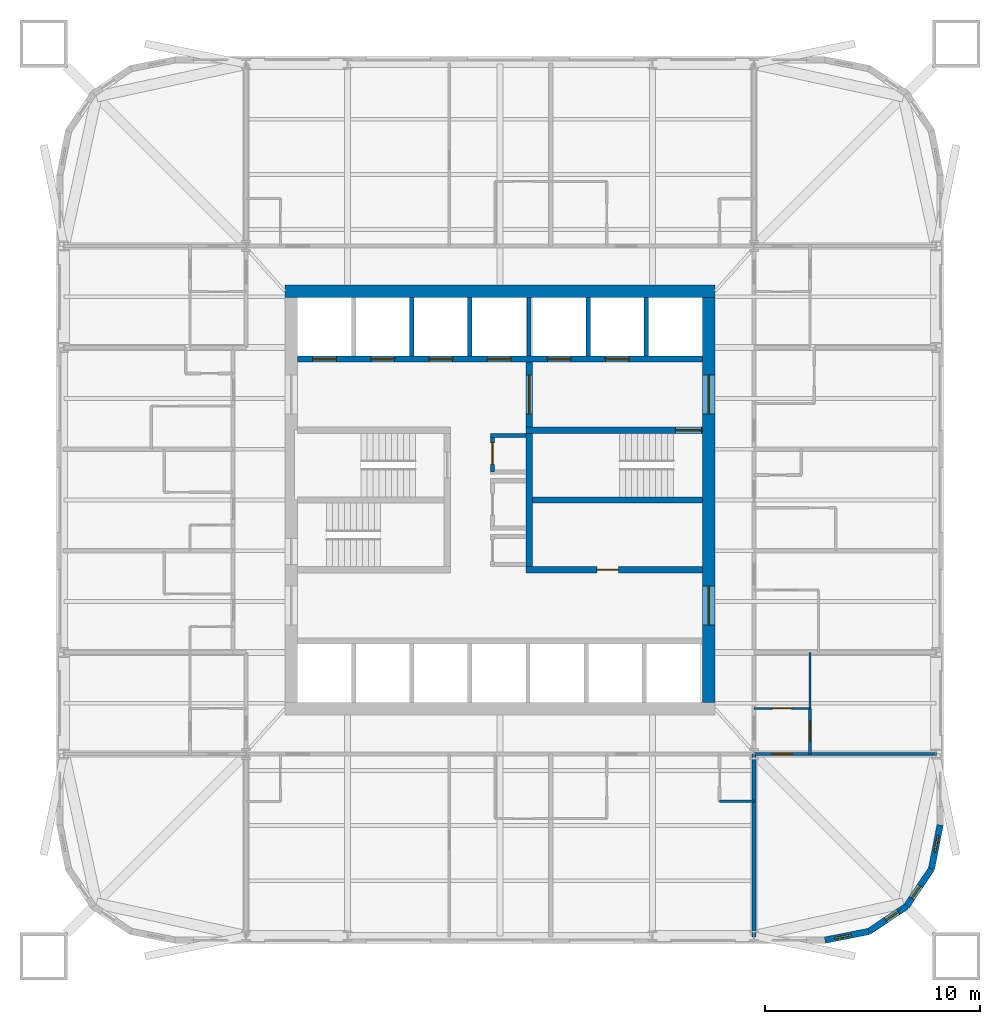
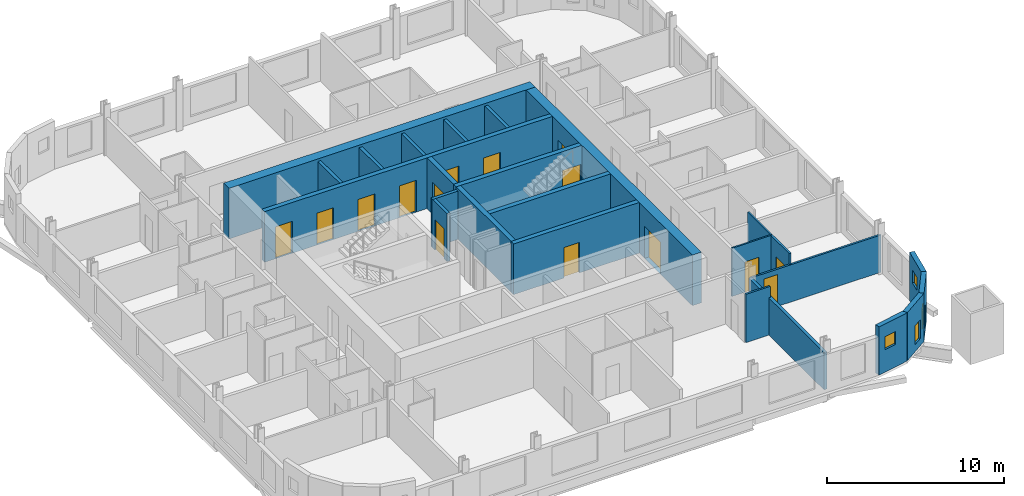
# One storey, part 5 of 9: 24 walls, 15 doors, 4 windows, 19 openings.
"""IFC4 building model written with IfcOpenShell, lengths in metres."""

from ifc_helpers import new_model, si_unit, direction, frame, frame_2d, origin, place, context, subcontext, project, spatial, rectangle, extrude, material, layer, layer_set, type_object, element, fill, save


model = new_model("IFC4")

# Units and contexts
model_context = context("Model", 3, precision=1e-05, world=origin(), true_north=direction((0.0, 1.0)))
body_context = subcontext(model_context, "Body", "Model", "MODEL_VIEW")
ifc_project = project(units=[si_unit("LENGTHUNIT", "METRE"), si_unit("AREAUNIT", "SQUARE_METRE"), si_unit("VOLUMEUNIT", "CUBIC_METRE"), si_unit("PLANEANGLEUNIT", "RADIAN"), si_unit("MASSUNIT", "GRAM", prefix="KILO")], contexts=[model_context])

# Site, building, storey
site_placement = place(None, origin())
site = spatial("IfcSite", under=ifc_project, at=site_placement, CompositionType="ELEMENT")
building_placement = place(site_placement, origin())
building = spatial("IfcBuilding", under=site, at=building_placement, Name="Turquesa Mirador Hotel Tower", CompositionType="ELEMENT")
storey_placement = place(building_placement, frame((0.0, 0.0, 149.39990234375)))
storey = spatial("IfcBuildingStorey", under=building, at=storey_placement, Name="L40", CompositionType="ELEMENT", Elevation=149.39990234375)

# Wall, opening, door
ifc_material_1 = material(Name="Gypsum board on steel studs", Category="steel")
ifc_layer_1 = layer(ifc_material_1, 0.10009765625)
ifc_layer_set_1 = layer_set([ifc_layer_1], Name="BATHROOM WALL 100")
wall_type_1 = type_object("IfcWallType", Name="BATHROOM WALL 100", PredefinedType="PARTITIONING", material=ifc_layer_set_1)
wall_1_placement = place(storey_placement, frame((66.800048828125, 35.320068359375, 0.0), z_axis=(0.0, 0.0, 1.0), x_axis=(1.0, 0.0, 0.0)))
wall_1 = element("IfcWall", 1, at=wall_1_placement, inside=storey, type_object=wall_type_1, Name="Partition L40 018", PredefinedType="PARTITIONING", context=body_context, shape_type="SweptSolid", body=[
    extrude(rectangle(XDim=2.599853515625, YDim=0.10009765625, at=frame_2d((1.2998046875, 0.0))), origin(), (0.0, 0.0, 1.0), 3.330078125),
])
opening_1_placement = place(wall_1_placement, frame((0.85009765625, 0.0, 0.0)))
opening_1 = element("IfcOpeningElement", 2, at=opening_1_placement, cuts=wall_1, Name="Opening D02", PredefinedType="OPENING", context=body_context, shape_type="SweptSolid", body=[
    extrude(rectangle(XDim=0.89990234375, YDim=2.10009765625, at=frame_2d((0.449951171875, 1.050048828125))), frame((0.0, 0.06005859375, 0.0), z_axis=(0.0, -1.0, 0.0), x_axis=(1.0, 0.0, 0.0)), (0.0, 0.0, 1.0), 0.1201171875),
])
ifc_material_2 = material(Name="Timber veneered door", Category="wood")
door_type_1 = type_object("IfcDoorType", Name="DOOR 900X2100 EN-SUITE", OperationType="SINGLE_SWING_RIGHT", PredefinedType="DOOR", material=ifc_material_2)
door_1_placement = place(opening_1_placement, origin())
door_1 = element("IfcDoor", 3, at=door_1_placement, inside=storey, type_object=door_type_1, Name="Door 4014B", OperationType="SINGLE_SWING_RIGHT", OverallHeight=2.10009765625, OverallWidth=0.89990234375, PredefinedType="DOOR", context=body_context, shape_type="SweptSolid", body=[
    extrude(rectangle(XDim=0.89990234375, YDim=2.10009765625, at=frame_2d((0.449951171875, 1.050048828125))), frame((0.0, 0.02490234375, 0.0), z_axis=(0.0, -1.0, 0.0), x_axis=(1.0, 0.0, 0.0)), (0.0, 0.0, 1.0), 0.050048828125),
])
fill(opening_1, door_1)

# Wall
wall_2_placement = place(storey_placement, frame((69.39990234375, 35.320068359375, 0.0), z_axis=(0.0, 0.0, 1.0), x_axis=(0.0, 1.0, 0.0)))
element("IfcWall", 4, at=wall_2_placement, inside=storey, type_object=wall_type_1, Name="Partition L40 065", PredefinedType="PARTITIONING", context=body_context, shape_type="SweptSolid", body=[
    extrude(rectangle(XDim=2.599853515625, YDim=0.10009765625, at=frame_2d((1.2998046875, 0.0))), origin(), (0.0, 0.0, 1.0), 3.330078125),
])

# Wall, openings, doors
ifc_material_3 = material(Name="Concrete C50/60", Category="concrete")
ifc_layer_2 = layer(ifc_material_3, 0.300048828125)
ifc_layer_set_2 = layer_set([ifc_layer_2], Name="CORE INNER WALL 300")
wall_type_2 = type_object("IfcWallType", Name="CORE INNER WALL 300", PredefinedType="SHEAR", material=ifc_layer_set_2)
wall_3_placement = place(storey_placement, frame((45.60009765625, 51.550048828125, 0.0), z_axis=(0.0, 0.0, 1.0), x_axis=(1.0, 0.0, 0.0)))
wall_3 = element("IfcWall", 5, at=wall_3_placement, inside=storey, type_object=wall_type_2, Name="Core wall NL", PredefinedType="SHEAR", context=body_context, shape_type="SweptSolid", body=[
    extrude(rectangle(XDim=18.7998046875, YDim=0.300048828125, at=frame_2d((9.39990234375, 0.0))), origin(), (0.0, 0.0, 1.0), 3.5),
])
opening_2_placement = place(wall_3_placement, frame((0.699951171875, 0.0, 0.0)))
opening_2 = element("IfcOpeningElement", 6, at=opening_2_placement, cuts=wall_3, Name="Opening LD", PredefinedType="OPENING", context=body_context, shape_type="SweptSolid", body=[
    extrude(rectangle(XDim=1.10009765625, YDim=2.199951171875, at=frame_2d((0.550048828125, 1.10009765625))), frame((0.0, 0.159912109375, 0.0), z_axis=(0.0, -1.0, 0.0), x_axis=(1.0, 0.0, 0.0)), (0.0, 0.0, 1.0), 0.320068359375),
])
opening_3_placement = place(wall_3_placement, frame((3.39990234375, 0.0, 0.0)))
opening_3 = element("IfcOpeningElement", 7, at=opening_3_placement, cuts=wall_3, Name="Opening LD", PredefinedType="OPENING", context=body_context, shape_type="SweptSolid", body=[
    extrude(rectangle(XDim=1.10009765625, YDim=2.199951171875, at=frame_2d((0.550048828125, 1.10009765625))), frame((0.0, 0.159912109375, 0.0), z_axis=(0.0, -1.0, 0.0), x_axis=(1.0, 0.0, 0.0)), (0.0, 0.0, 1.0), 0.320068359375),
])
opening_4_placement = place(wall_3_placement, frame((6.10009765625, 0.0, 0.0)))
opening_4 = element("IfcOpeningElement", 8, at=opening_4_placement, cuts=wall_3, Name="Opening LD", PredefinedType="OPENING", context=body_context, shape_type="SweptSolid", body=[
    extrude(rectangle(XDim=1.10009765625, YDim=2.199951171875, at=frame_2d((0.550048828125, 1.10009765625))), frame((0.0, 0.159912109375, 0.0), z_axis=(0.0, -1.0, 0.0), x_axis=(1.0, 0.0, 0.0)), (0.0, 0.0, 1.0), 0.320068359375),
])
opening_5_placement = place(wall_3_placement, frame((8.800048828125, 0.0, 0.0)))
opening_5 = element("IfcOpeningElement", 9, at=opening_5_placement, cuts=wall_3, Name="Opening LD", PredefinedType="OPENING", context=body_context, shape_type="SweptSolid", body=[
    extrude(rectangle(XDim=1.10009765625, YDim=2.199951171875, at=frame_2d((0.550048828125, 1.10009765625))), frame((0.0, 0.159912109375, 0.0), z_axis=(0.0, -1.0, 0.0), x_axis=(1.0, 0.0, 0.0)), (0.0, 0.0, 1.0), 0.320068359375),
])
opening_6_placement = place(wall_3_placement, frame((11.60009765625, 0.0, 0.0)))
opening_6 = element("IfcOpeningElement", 10, at=opening_6_placement, cuts=wall_3, Name="Opening LD", PredefinedType="OPENING", context=body_context, shape_type="SweptSolid", body=[
    extrude(rectangle(XDim=1.10009765625, YDim=2.199951171875, at=frame_2d((0.550048828125, 1.10009765625))), frame((0.0, 0.159912109375, 0.0), z_axis=(0.0, -1.0, 0.0), x_axis=(1.0, 0.0, 0.0)), (0.0, 0.0, 1.0), 0.320068359375),
])
opening_7_placement = place(wall_3_placement, frame((14.300048828125, 0.0, 0.0)))
opening_7 = element("IfcOpeningElement", 11, at=opening_7_placement, cuts=wall_3, Name="Opening LD", PredefinedType="OPENING", context=body_context, shape_type="SweptSolid", body=[
    extrude(rectangle(XDim=1.10009765625, YDim=2.199951171875, at=frame_2d((0.550048828125, 1.10009765625))), frame((0.0, 0.159912109375, 0.0), z_axis=(0.0, -1.0, 0.0), x_axis=(1.0, 0.0, 0.0)), (0.0, 0.0, 1.0), 0.320068359375),
])
ifc_material_4 = material(Name="Stainless steel lift landing door", Category="steel")
door_type_2 = type_object("IfcDoorType", Name="LIFT LANDING DOOR 1100X2200", OperationType="SLIDING_TO_LEFT", PredefinedType="DOOR", material=ifc_material_4)
door_2_placement = place(opening_2_placement, origin())
door_2 = element("IfcDoor", 12, at=door_2_placement, inside=storey, type_object=door_type_2, Name="Lift A1 landing door", OperationType="SLIDING_TO_LEFT", OverallHeight=2.199951171875, OverallWidth=1.10009765625, PredefinedType="DOOR", context=body_context, shape_type="SweptSolid", body=[
    extrude(rectangle(XDim=1.10009765625, YDim=2.199951171875, at=frame_2d((0.550048828125, 1.10009765625))), frame((0.0, 0.02490234375, 0.0), z_axis=(0.0, -1.0, 0.0), x_axis=(1.0, 0.0, 0.0)), (0.0, 0.0, 1.0), 0.050048828125),
])
fill(opening_2, door_2)
door_3_placement = place(opening_3_placement, origin())
door_3 = element("IfcDoor", 13, at=door_3_placement, inside=storey, type_object=door_type_2, Name="Lift A2 landing door", OperationType="SLIDING_TO_LEFT", OverallHeight=2.199951171875, OverallWidth=1.10009765625, PredefinedType="DOOR", context=body_context, shape_type="SweptSolid", body=[
    extrude(rectangle(XDim=1.10009765625, YDim=2.199951171875, at=frame_2d((0.550048828125, 1.10009765625))), frame((0.0, 0.02490234375, 0.0), z_axis=(0.0, -1.0, 0.0), x_axis=(1.0, 0.0, 0.0)), (0.0, 0.0, 1.0), 0.050048828125),
])
fill(opening_3, door_3)
door_4_placement = place(opening_4_placement, origin())
door_4 = element("IfcDoor", 14, at=door_4_placement, inside=storey, type_object=door_type_2, Name="Lift A3 landing door", OperationType="SLIDING_TO_LEFT", OverallHeight=2.199951171875, OverallWidth=1.10009765625, PredefinedType="DOOR", context=body_context, shape_type="SweptSolid", body=[
    extrude(rectangle(XDim=1.10009765625, YDim=2.199951171875, at=frame_2d((0.550048828125, 1.10009765625))), frame((0.0, 0.02490234375, 0.0), z_axis=(0.0, -1.0, 0.0), x_axis=(1.0, 0.0, 0.0)), (0.0, 0.0, 1.0), 0.050048828125),
])
fill(opening_4, door_4)
door_5_placement = place(opening_5_placement, origin())
door_5 = element("IfcDoor", 15, at=door_5_placement, inside=storey, type_object=door_type_2, Name="Lift A4 landing door", OperationType="SLIDING_TO_LEFT", OverallHeight=2.199951171875, OverallWidth=1.10009765625, PredefinedType="DOOR", context=body_context, shape_type="SweptSolid", body=[
    extrude(rectangle(XDim=1.10009765625, YDim=2.199951171875, at=frame_2d((0.550048828125, 1.10009765625))), frame((0.0, 0.02490234375, 0.0), z_axis=(0.0, -1.0, 0.0), x_axis=(1.0, 0.0, 0.0)), (0.0, 0.0, 1.0), 0.050048828125),
])
fill(opening_5, door_5)
door_6_placement = place(opening_6_placement, origin())
door_6 = element("IfcDoor", 16, at=door_6_placement, inside=storey, type_object=door_type_2, Name="Lift S1 landing door", OperationType="SLIDING_TO_LEFT", OverallHeight=2.199951171875, OverallWidth=1.10009765625, PredefinedType="DOOR", context=body_context, shape_type="SweptSolid", body=[
    extrude(rectangle(XDim=1.10009765625, YDim=2.199951171875, at=frame_2d((0.550048828125, 1.10009765625))), frame((0.0, 0.02490234375, 0.0), z_axis=(0.0, -1.0, 0.0), x_axis=(1.0, 0.0, 0.0)), (0.0, 0.0, 1.0), 0.050048828125),
])
fill(opening_6, door_6)
door_7_placement = place(opening_7_placement, origin())
door_7 = element("IfcDoor", 17, at=door_7_placement, inside=storey, type_object=door_type_2, Name="Lift S2 landing door", OperationType="SLIDING_TO_LEFT", OverallHeight=2.199951171875, OverallWidth=1.10009765625, PredefinedType="DOOR", context=body_context, shape_type="SweptSolid", body=[
    extrude(rectangle(XDim=1.10009765625, YDim=2.199951171875, at=frame_2d((0.550048828125, 1.10009765625))), frame((0.0, 0.02490234375, 0.0), z_axis=(0.0, -1.0, 0.0), x_axis=(1.0, 0.0, 0.0)), (0.0, 0.0, 1.0), 0.050048828125),
])
fill(opening_7, door_7)

# Wall, opening, door
wall_4_placement = place(storey_placement, frame((56.199951171875, 48.25, 0.0), z_axis=(0.0, 0.0, 1.0), x_axis=(1.0, 0.0, 0.0)))
wall_4 = element("IfcWall", 18, at=wall_4_placement, inside=storey, type_object=wall_type_2, Name="Core wall MN-E", PredefinedType="SHEAR", context=body_context, shape_type="SweptSolid", body=[
    extrude(rectangle(XDim=8.199951171875, YDim=0.300048828125, at=frame_2d((4.10009765625, 0.0))), origin(), (0.0, 0.0, 1.0), 3.5),
])
opening_8_placement = place(wall_4_placement, frame((6.949951171875, 0.0, 0.0)))
opening_8 = element("IfcOpeningElement", 19, at=opening_8_placement, cuts=wall_4, Name="Opening D03", PredefinedType="OPENING", context=body_context, shape_type="SweptSolid", body=[
    extrude(rectangle(XDim=1.199951171875, YDim=2.199951171875, at=frame_2d((0.60009765625, 1.10009765625))), frame((0.0, 0.159912109375, 0.0), z_axis=(0.0, -1.0, 0.0), x_axis=(1.0, 0.0, 0.0)), (0.0, 0.0, 1.0), 0.320068359375),
])
ifc_material_5 = material(Name="Steel fire door", Category="steel")
door_type_3 = type_object("IfcDoorType", Name="DOOR 1200X2200 STAIR", OperationType="SINGLE_SWING_LEFT", PredefinedType="DOOR", material=ifc_material_5)
door_8_placement = place(opening_8_placement, origin())
door_8 = element("IfcDoor", 20, at=door_8_placement, inside=storey, type_object=door_type_3, Name="Stair ST3 door", OperationType="SINGLE_SWING_LEFT", OverallHeight=2.199951171875, OverallWidth=1.199951171875, PredefinedType="DOOR", context=body_context, shape_type="SweptSolid", body=[
    extrude(rectangle(XDim=1.199951171875, YDim=2.199951171875, at=frame_2d((0.60009765625, 1.10009765625))), frame((0.0, 0.02490234375, 0.0), z_axis=(0.0, -1.0, 0.0), x_axis=(1.0, 0.0, 0.0)), (0.0, 0.0, 1.0), 0.050048828125),
])
fill(opening_8, door_8)

wall_5_placement = place(storey_placement, frame((56.199951171875, 41.75, 0.0), z_axis=(0.0, 0.0, 1.0), x_axis=(1.0, 0.0, 0.0)))
wall_5 = element("IfcWall", 21, at=wall_5_placement, inside=storey, type_object=wall_type_2, Name="Core wall MS-E", PredefinedType="SHEAR", context=body_context, shape_type="SweptSolid", body=[
    extrude(rectangle(XDim=8.199951171875, YDim=0.300048828125, at=frame_2d((4.10009765625, 0.0))), origin(), (0.0, 0.0, 1.0), 3.5),
])
opening_9_placement = place(wall_5_placement, frame((3.300048828125, 0.0, 0.0)))
opening_9 = element("IfcOpeningElement", 22, at=opening_9_placement, cuts=wall_5, Name="Opening D05", PredefinedType="OPENING", context=body_context, shape_type="SweptSolid", body=[
    extrude(rectangle(XDim=1.0, YDim=2.10009765625, at=frame_2d((0.5, 1.050048828125))), frame((0.0, 0.159912109375, 0.0), z_axis=(0.0, -1.0, 0.0), x_axis=(1.0, 0.0, 0.0)), (0.0, 0.0, 1.0), 0.320068359375),
])
ifc_material_6 = material(Name="Steel fire door", Category="steel")
door_type_4 = type_object("IfcDoorType", Name="DOOR 1000X2100 SERVICE", OperationType="SINGLE_SWING_LEFT", PredefinedType="DOOR", material=ifc_material_6)
door_9_placement = place(opening_9_placement, origin())
door_9 = element("IfcDoor", 23, at=door_9_placement, inside=storey, type_object=door_type_4, Name="Housekeeping room door", OperationType="SINGLE_SWING_LEFT", OverallHeight=2.10009765625, OverallWidth=1.0, PredefinedType="DOOR", context=body_context, shape_type="SweptSolid", body=[
    extrude(rectangle(XDim=1.0, YDim=2.10009765625, at=frame_2d((0.5, 1.050048828125))), frame((0.0, 0.02490234375, 0.0), z_axis=(0.0, -1.0, 0.0), x_axis=(1.0, 0.0, 0.0)), (0.0, 0.0, 1.0), 0.050048828125),
])
fill(opening_9, door_9)

wall_6_placement = place(storey_placement, frame((56.35009765625, 41.89990234375, 0.0), z_axis=(0.0, 0.0, 1.0), x_axis=(0.0, 1.0, 0.0)))
wall_6 = element("IfcWall", 24, at=wall_6_placement, inside=storey, type_object=wall_type_2, Name="Core wall PE", PredefinedType="SHEAR", context=body_context, shape_type="SweptSolid", body=[
    extrude(rectangle(XDim=9.5, YDim=0.300048828125, at=frame_2d((4.75, 0.0))), origin(), (0.0, 0.0, 1.0), 3.5),
])
opening_10_placement = place(wall_6_placement, frame((7.10009765625, 0.0, 0.0)))
opening_10 = element("IfcOpeningElement", 25, at=opening_10_placement, cuts=wall_6, Name="Opening D04", PredefinedType="OPENING", context=body_context, shape_type="SweptSolid", body=[
    extrude(rectangle(XDim=1.800048828125, YDim=2.199951171875, at=frame_2d((0.89990234375, 1.10009765625))), frame((0.0, 0.159912109375, 0.0), z_axis=(0.0, -1.0, 0.0), x_axis=(1.0, 0.0, 0.0)), (0.0, 0.0, 1.0), 0.320068359375),
])
ifc_material_7 = material(Name="Steel fire door pair", Category="steel")
door_type_5 = type_object("IfcDoorType", Name="DOOR 1800X2200 PAIR", OperationType="DOUBLE_DOOR_SINGLE_SWING", PredefinedType="DOOR", material=ifc_material_7)
door_10_placement = place(opening_10_placement, origin())
door_10 = element("IfcDoor", 26, at=door_10_placement, inside=storey, type_object=door_type_5, Name="Firefighting lobby inner door", OperationType="DOUBLE_DOOR_SINGLE_SWING", OverallHeight=2.199951171875, OverallWidth=1.800048828125, PredefinedType="DOOR", context=body_context, shape_type="SweptSolid", body=[
    extrude(rectangle(XDim=1.800048828125, YDim=2.199951171875, at=frame_2d((0.89990234375, 1.10009765625))), frame((0.0, 0.02490234375, 0.0), z_axis=(0.0, -1.0, 0.0), x_axis=(1.0, 0.0, 0.0)), (0.0, 0.0, 1.0), 0.050048828125),
])
fill(opening_10, door_10)

# Walls
wall_7_placement = place(storey_placement, frame((56.5, 45.0, 0.0), z_axis=(0.0, 0.0, 1.0), x_axis=(1.0, 0.0, 0.0)))
element("IfcWall", 27, at=wall_7_placement, inside=storey, type_object=wall_type_2, Name="Core wall M0-E", PredefinedType="SHEAR", context=body_context, shape_type="SweptSolid", body=[
    extrude(rectangle(XDim=7.89990234375, YDim=0.300048828125, at=frame_2d((3.949951171875, 0.0))), origin(), (0.0, 0.0, 1.0), 3.5),
])
ifc_material_8 = material(Name="Concrete C50/60", Category="concrete")
ifc_layer_3 = layer(ifc_material_8, 0.60009765625)
ifc_layer_set_3 = layer_set([ifc_layer_3], Name="CORE WALL 600")
wall_type_3 = type_object("IfcWallType", Name="CORE WALL 600", PredefinedType="SHEAR", material=ifc_layer_set_3)
wall_8_placement = place(storey_placement, frame((45.0, 54.699951171875, 0.0), z_axis=(0.0, 0.0, 1.0), x_axis=(1.0, 0.0, 0.0)))
element("IfcWall", 28, at=wall_8_placement, inside=storey, type_object=wall_type_3, Name="Core wall N", PredefinedType="SHEAR", context=body_context, shape_type="SweptSolid", body=[
    extrude(rectangle(XDim=20.0, YDim=0.60009765625, at=frame_2d((10.0, 0.0))), origin(), (0.0, 0.0, 1.0), 3.5),
])

# Wall, openings, doors
wall_9_placement = place(storey_placement, frame((64.699951171875, 35.60009765625, 0.0), z_axis=(0.0, 0.0, 1.0), x_axis=(0.0, 1.0, 0.0)))
wall_9 = element("IfcWall", 29, at=wall_9_placement, inside=storey, type_object=wall_type_3, Name="Core wall E", PredefinedType="SHEAR", context=body_context, shape_type="SweptSolid", body=[
    extrude(rectangle(XDim=18.7998046875, YDim=0.60009765625, at=frame_2d((9.39990234375, 0.0))), origin(), (0.0, 0.0, 1.0), 3.5),
])
opening_11_placement = place(wall_9_placement, frame((13.39990234375, 0.0, 0.0)))
opening_11 = element("IfcOpeningElement", 30, at=opening_11_placement, cuts=wall_9, Name="Opening D04", PredefinedType="OPENING", context=body_context, shape_type="SweptSolid", body=[
    extrude(rectangle(XDim=1.800048828125, YDim=2.199951171875, at=frame_2d((0.89990234375, 1.10009765625))), frame((0.0, 0.31005859375, 0.0), z_axis=(0.0, -1.0, 0.0), x_axis=(1.0, 0.0, 0.0)), (0.0, 0.0, 1.0), 0.6201171875),
])
opening_12_placement = place(wall_9_placement, frame((3.60009765625, 0.0, 0.0)))
opening_12 = element("IfcOpeningElement", 31, at=opening_12_placement, cuts=wall_9, Name="Opening D04", PredefinedType="OPENING", context=body_context, shape_type="SweptSolid", body=[
    extrude(rectangle(XDim=1.800048828125, YDim=2.199951171875, at=frame_2d((0.89990234375, 1.10009765625))), frame((0.0, 0.31005859375, 0.0), z_axis=(0.0, -1.0, 0.0), x_axis=(1.0, 0.0, 0.0)), (0.0, 0.0, 1.0), 0.6201171875),
])
door_11_placement = place(opening_11_placement, origin())
door_11 = element("IfcDoor", 32, at=door_11_placement, inside=storey, type_object=door_type_5, Name="Firefighting lobby door", OperationType="DOUBLE_DOOR_SINGLE_SWING", OverallHeight=2.199951171875, OverallWidth=1.800048828125, PredefinedType="DOOR", context=body_context, shape_type="SweptSolid", body=[
    extrude(rectangle(XDim=1.800048828125, YDim=2.199951171875, at=frame_2d((0.89990234375, 1.10009765625))), frame((0.0, 0.02490234375, 0.0), z_axis=(0.0, -1.0, 0.0), x_axis=(1.0, 0.0, 0.0)), (0.0, 0.0, 1.0), 0.050048828125),
])
fill(opening_11, door_11)
door_12_placement = place(opening_12_placement, origin())
door_12 = element("IfcDoor", 33, at=door_12_placement, inside=storey, type_object=door_type_5, Name="South lift lobby door", OperationType="DOUBLE_DOOR_SINGLE_SWING", OverallHeight=2.199951171875, OverallWidth=1.800048828125, PredefinedType="DOOR", context=body_context, shape_type="SweptSolid", body=[
    extrude(rectangle(XDim=1.800048828125, YDim=2.199951171875, at=frame_2d((0.89990234375, 1.10009765625))), frame((0.0, 0.02490234375, 0.0), z_axis=(0.0, -1.0, 0.0), x_axis=(1.0, 0.0, 0.0)), (0.0, 0.0, 1.0), 0.050048828125),
])
fill(opening_12, door_12)

# Wall, opening, window
ifc_material_9 = material(Name="Limestone cladding on concrete block", Category="masonry")
ifc_layer_4 = layer(ifc_material_9, 0.300048828125)
ifc_layer_set_4 = layer_set([ifc_layer_4], Name="FACADE WALL 300 STONE SCREEN")
wall_type_4 = type_object("IfcWallType", Name="FACADE WALL 300 STONE SCREEN", PredefinedType="SOLIDWALL", material=ifc_layer_set_4)
wall_10_placement = place(storey_placement, frame((70.10009765625, 24.550048828125, 0.0), z_axis=(0.0, 0.0, 1.0), x_axis=(0.980787050784, 0.195081421501, 0.0)))
wall_10 = element("IfcWall", 34, at=wall_10_placement, inside=storey, type_object=wall_type_4, Name="Facade wall L40 00", PredefinedType="SOLIDWALL", context=body_context, shape_type="SweptSolid", body=[
    extrude(rectangle(XDim=2.08740234375, YDim=0.300048828125, at=frame_2d((1.043701171875, 0.0))), origin(), (0.0, 0.0, 1.0), 3.330078125),
])
opening_13_placement = place(wall_10_placement, frame((0.443603515625, 0.0, 1.550048828125)))
opening_13 = element("IfcOpeningElement", 35, at=opening_13_placement, cuts=wall_10, Name="Opening WN18", PredefinedType="OPENING", context=body_context, shape_type="SweptSolid", body=[
    extrude(rectangle(XDim=0.800048828125, YDim=0.89990234375, at=frame_2d((0.39990234375, 0.449951171875))), frame((0.0, 0.159912109375, 0.0), z_axis=(0.0, -1.0, 0.0), x_axis=(1.0, 0.0, 0.0)), (0.0, 0.0, 1.0), 0.320068359375),
])
ifc_material_10 = material(Name="Ceramic-fritted laminated glass", Category="glass")
window_type_1 = type_object("IfcWindowType", Name="FRITTED CORNER WINDOW 800X900", PartitioningType="DOUBLE_PANEL_HORIZONTAL", PredefinedType="WINDOW", material=ifc_material_10)
window_1_placement = place(opening_13_placement, origin())
window_1 = element("IfcWindow", 36, at=window_1_placement, inside=storey, type_object=window_type_1, Name="Window L40", OverallHeight=0.89990234375, OverallWidth=0.800048828125, PartitioningType="SINGLE_PANEL", PredefinedType="WINDOW", context=body_context, shape_type="SweptSolid", body=[
    extrude(rectangle(XDim=0.800048828125, YDim=0.89990234375, at=frame_2d((0.39990234375, 0.449951171875))), frame((0.0, 0.030029296875, 0.0), z_axis=(0.0, -1.0, 0.0), x_axis=(1.0, 0.0, 0.0)), (0.0, 0.0, 1.0), 0.06005859375),
])
fill(opening_13, window_1)

wall_11_placement = place(storey_placement, frame((72.1474609375, 24.957275390625, 0.0), z_axis=(0.0, 0.0, 1.0), x_axis=(0.831474039234, 0.555563607591, 0.0)))
wall_11 = element("IfcWall", 37, at=wall_11_placement, inside=storey, type_object=wall_type_4, Name="Facade wall L40 01", PredefinedType="SOLIDWALL", context=body_context, shape_type="SweptSolid", body=[
    extrude(rectangle(XDim=2.08740234375, YDim=0.300048828125, at=frame_2d((1.043701171875, 0.0))), origin(), (0.0, 0.0, 1.0), 3.330078125),
])
opening_14_placement = place(wall_11_placement, frame((0.943603515625, 0.0, 0.5)))
opening_14 = element("IfcOpeningElement", 38, at=opening_14_placement, cuts=wall_11, Name="Opening WN17", PredefinedType="OPENING", context=body_context, shape_type="SweptSolid", body=[
    extrude(rectangle(XDim=0.699951171875, YDim=1.300048828125, at=frame_2d((0.35009765625, 0.64990234375))), frame((0.0, 0.159912109375, 0.0), z_axis=(0.0, -1.0, 0.0), x_axis=(1.0, 0.0, 0.0)), (0.0, 0.0, 1.0), 0.320068359375),
])
ifc_material_11 = material(Name="Ceramic-fritted laminated glass", Category="glass")
window_type_2 = type_object("IfcWindowType", Name="FRITTED CORNER WINDOW 700X1300", PartitioningType="DOUBLE_PANEL_HORIZONTAL", PredefinedType="WINDOW", material=ifc_material_11)
window_2_placement = place(opening_14_placement, origin())
window_2 = element("IfcWindow", 39, at=window_2_placement, inside=storey, type_object=window_type_2, Name="Window L40", OverallHeight=1.300048828125, OverallWidth=0.699951171875, PartitioningType="SINGLE_PANEL", PredefinedType="WINDOW", context=body_context, shape_type="SweptSolid", body=[
    extrude(rectangle(XDim=0.699951171875, YDim=1.300048828125, at=frame_2d((0.35009765625, 0.64990234375))), frame((0.0, 0.030029296875, 0.0), z_axis=(0.0, -1.0, 0.0), x_axis=(1.0, 0.0, 0.0)), (0.0, 0.0, 1.0), 0.06005859375),
])
fill(opening_14, window_2)

wall_12_placement = place(storey_placement, frame((73.883056640625, 26.116943359375, 0.0), z_axis=(0.0, 0.0, 1.0), x_axis=(0.555563607591, 0.831474039234, 0.0)))
wall_12 = element("IfcWall", 40, at=wall_12_placement, inside=storey, type_object=wall_type_4, Name="Facade wall L40 02", PredefinedType="SOLIDWALL", context=body_context, shape_type="SweptSolid", body=[
    extrude(rectangle(XDim=2.08740234375, YDim=0.300048828125, at=frame_2d((1.043701171875, 0.0))), origin(), (0.0, 0.0, 1.0), 3.330078125),
])
opening_15_placement = place(wall_12_placement, frame((0.443603515625, 0.0, 0.5)))
opening_15 = element("IfcOpeningElement", 41, at=opening_15_placement, cuts=wall_12, Name="Opening WN17", PredefinedType="OPENING", context=body_context, shape_type="SweptSolid", body=[
    extrude(rectangle(XDim=0.699951171875, YDim=1.300048828125, at=frame_2d((0.35009765625, 0.64990234375))), frame((0.0, 0.159912109375, 0.0), z_axis=(0.0, -1.0, 0.0), x_axis=(1.0, 0.0, 0.0)), (0.0, 0.0, 1.0), 0.320068359375),
])
window_3_placement = place(opening_15_placement, origin())
window_3 = element("IfcWindow", 42, at=window_3_placement, inside=storey, type_object=window_type_2, Name="Window L40", OverallHeight=1.300048828125, OverallWidth=0.699951171875, PartitioningType="SINGLE_PANEL", PredefinedType="WINDOW", context=body_context, shape_type="SweptSolid", body=[
    extrude(rectangle(XDim=0.699951171875, YDim=1.300048828125, at=frame_2d((0.35009765625, 0.64990234375))), frame((0.0, 0.030029296875, 0.0), z_axis=(0.0, -1.0, 0.0), x_axis=(1.0, 0.0, 0.0)), (0.0, 0.0, 1.0), 0.06005859375),
])
fill(opening_15, window_3)

wall_13_placement = place(storey_placement, frame((75.042724609375, 27.8525390625, 0.0), z_axis=(0.0, 0.0, 1.0), x_axis=(0.195081421501, 0.980787050784, 0.0)))
wall_13 = element("IfcWall", 43, at=wall_13_placement, inside=storey, type_object=wall_type_4, Name="Facade wall L40 03", PredefinedType="SOLIDWALL", context=body_context, shape_type="SweptSolid", body=[
    extrude(rectangle(XDim=2.08740234375, YDim=0.300048828125, at=frame_2d((1.043701171875, 0.0))), origin(), (0.0, 0.0, 1.0), 3.330078125),
])
opening_16_placement = place(wall_13_placement, frame((0.793701171875, 0.0, 1.550048828125)))
opening_16 = element("IfcOpeningElement", 44, at=opening_16_placement, cuts=wall_13, Name="Opening WN18", PredefinedType="OPENING", context=body_context, shape_type="SweptSolid", body=[
    extrude(rectangle(XDim=0.800048828125, YDim=0.89990234375, at=frame_2d((0.39990234375, 0.449951171875))), frame((0.0, 0.159912109375, 0.0), z_axis=(0.0, -1.0, 0.0), x_axis=(1.0, 0.0, 0.0)), (0.0, 0.0, 1.0), 0.320068359375),
])
window_4_placement = place(opening_16_placement, origin())
window_4 = element("IfcWindow", 45, at=window_4_placement, inside=storey, type_object=window_type_1, Name="Window L40", OverallHeight=0.89990234375, OverallWidth=0.800048828125, PartitioningType="SINGLE_PANEL", PredefinedType="WINDOW", context=body_context, shape_type="SweptSolid", body=[
    extrude(rectangle(XDim=0.800048828125, YDim=0.89990234375, at=frame_2d((0.39990234375, 0.449951171875))), frame((0.0, 0.030029296875, 0.0), z_axis=(0.0, -1.0, 0.0), x_axis=(1.0, 0.0, 0.0)), (0.0, 0.0, 1.0), 0.06005859375),
])
fill(opening_16, window_4)

# Wall, opening, door
ifc_material_12 = material(Name="Fire-rated gypsum board on steel studs", Category="steel")
ifc_layer_5 = layer(ifc_material_12, 0.199951171875)
ifc_layer_set_5 = layer_set([ifc_layer_5], Name="FIRE PARTITION 200")
wall_type_5 = type_object("IfcWallType", Name="FIRE PARTITION 200", PredefinedType="PARTITIONING", material=ifc_layer_set_5)
wall_14_placement = place(storey_placement, frame((54.64990234375, 46.300048828125, 0.0), z_axis=(0.0, 0.0, 1.0), x_axis=(0.0, 1.0, 0.0)))
wall_14 = element("IfcWall", 46, at=wall_14_placement, inside=storey, type_object=wall_type_5, Name="Partition L40 CL W", PredefinedType="PARTITIONING", context=body_context, shape_type="SweptSolid", body=[
    extrude(rectangle(XDim=1.699951171875, YDim=0.199951171875, at=frame_2d((0.85009765625, 0.0))), origin(), (0.0, 0.0, 1.0), 3.330078125),
])
opening_17_placement = place(wall_14_placement, frame((0.35009765625, 0.0, 0.0)))
opening_17 = element("IfcOpeningElement", 47, at=opening_17_placement, cuts=wall_14, Name="Opening D05", PredefinedType="OPENING", context=body_context, shape_type="SweptSolid", body=[
    extrude(rectangle(XDim=1.0, YDim=2.10009765625, at=frame_2d((0.5, 1.050048828125))), frame((0.0, 0.10986328125, 0.0), z_axis=(0.0, -1.0, 0.0), x_axis=(1.0, 0.0, 0.0)), (0.0, 0.0, 1.0), 0.219970703125),
])
door_13_placement = place(opening_17_placement, origin())
door_13 = element("IfcDoor", 48, at=door_13_placement, inside=storey, type_object=door_type_4, Name="Cleaner's cupboard door", OperationType="SINGLE_SWING_LEFT", OverallHeight=2.10009765625, OverallWidth=1.0, PredefinedType="DOOR", context=body_context, shape_type="SweptSolid", body=[
    extrude(rectangle(XDim=1.0, YDim=2.10009765625, at=frame_2d((0.5, 1.050048828125))), frame((0.0, 0.02490234375, 0.0), z_axis=(0.0, -1.0, 0.0), x_axis=(1.0, 0.0, 0.0)), (0.0, 0.0, 1.0), 0.050048828125),
])
fill(opening_17, door_13)

# Walls
wall_15_placement = place(storey_placement, frame((54.550048828125, 48.0, 0.0), z_axis=(0.0, 0.0, 1.0), x_axis=(1.0, 0.0, 0.0)))
element("IfcWall", 49, at=wall_15_placement, inside=storey, type_object=wall_type_5, Name="Partition L40 CL N", PredefinedType="PARTITIONING", context=body_context, shape_type="SweptSolid", body=[
    extrude(rectangle(XDim=1.64990234375, YDim=0.199951171875, at=frame_2d((0.824951171875, 0.0))), origin(), (0.0, 0.0, 1.0), 3.330078125),
])
ifc_material_13 = material(Name="Fire-rated gypsum shaft wall on steel studs", Category="steel")
ifc_layer_6 = layer(ifc_material_13, 0.199951171875)
ifc_layer_set_6 = layer_set([ifc_layer_6], Name="LIFT SHAFT DIVIDER 200")
wall_type_6 = type_object("IfcWallType", Name="LIFT SHAFT DIVIDER 200", PredefinedType="PARTITIONING", material=ifc_layer_set_6)
for number, where, z_axis, x_axis, name in (
    (50, (50.89990234375, 51.699951171875, 0.0), (0.0, 0.0, 1.0), (0.0, 1.0, 0.0), "Lift shaft divider"),
    (51, (53.60009765625, 51.699951171875, 0.0), (0.0, 0.0, 1.0), (0.0, 1.0, 0.0), "Lift shaft divider"),
    (52, (59.10009765625, 51.699951171875, 0.0), (0.0, 0.0, 1.0), (0.0, 1.0, 0.0), "Lift shaft divider"),
    (53, (61.800048828125, 51.699951171875, 0.0), (0.0, 0.0, 1.0), (0.0, 1.0, 0.0), "Lift shaft divider"),
    (54, (56.35009765625, 51.699951171875, 0.0), (0.0, 0.0, 1.0), (0.0, 1.0, 0.0), "Lift shaft divider"),
):
    element("IfcWall", number, at=place(storey_placement, frame(where, z_axis=z_axis, x_axis=x_axis)), inside=storey, type_object=wall_type_6, Name=name, PredefinedType="PARTITIONING", context=body_context, shape_type="SweptSolid", body=[
        extrude(rectangle(XDim=2.699951171875, YDim=0.199951171875, at=frame_2d((1.35009765625, 0.0))), origin(), (0.0, 0.0, 1.0), 3.330078125),
    ])
ifc_material_14 = material(Name="Fire-rated gypsum board on steel studs", Category="steel")
ifc_layer_7 = layer(ifc_material_14, 0.199951171875)
ifc_layer_set_7 = layer_set([ifc_layer_7], Name="PARTY WALL 200")
wall_type_7 = type_object("IfcWallType", Name="PARTY WALL 200", PredefinedType="PARTITIONING", material=ifc_layer_set_7)
wall_16_placement = place(storey_placement, frame((66.800048828125, 24.699951171875, 0.0), z_axis=(0.0, 0.0, 1.0), x_axis=(0.0, 1.0, 0.0)))
element("IfcWall", 55, at=wall_16_placement, inside=storey, type_object=wall_type_7, Name="Partition L40 062", PredefinedType="PARTITIONING", context=body_context, shape_type="SweptSolid", body=[
    extrude(rectangle(XDim=8.5, YDim=0.199951171875, at=frame_2d((4.25, 0.0))), origin(), (0.0, 0.0, 1.0), 2.5732421875),
])

# Wall, opening, door
ifc_material_15 = material(Name="Acoustic gypsum board on steel studs", Category="steel")
ifc_layer_8 = layer(ifc_material_15, 0.125)
ifc_layer_set_8 = layer_set([ifc_layer_8], Name="SUITE PARTITION 125")
wall_type_8 = type_object("IfcWallType", Name="SUITE PARTITION 125", PredefinedType="PARTITIONING", material=ifc_layer_set_8)
wall_17_placement = place(storey_placement, frame((66.800048828125, 33.199951171875, 0.0), z_axis=(0.0, 0.0, 1.0), x_axis=(1.0, 0.0, 0.0)))
wall_17 = element("IfcWall", 56, at=wall_17_placement, inside=storey, type_object=wall_type_8, Name="Partition L40 005", PredefinedType="PARTITIONING", context=body_context, shape_type="SweptSolid", body=[
    extrude(rectangle(XDim=8.5, YDim=0.125, at=frame_2d((4.25, 0.0))), origin(), (0.0, 0.0, 1.0), 2.5732421875),
])
opening_18_placement = place(wall_17_placement, frame((0.85009765625, 0.0, 0.0)))
opening_18 = element("IfcOpeningElement", 57, at=opening_18_placement, cuts=wall_17, Name="Opening D17", PredefinedType="OPENING", context=body_context, shape_type="SweptSolid", body=[
    extrude(rectangle(XDim=0.89990234375, YDim=2.199951171875, at=frame_2d((0.449951171875, 1.10009765625))), frame((0.0, 0.072509765625, 0.0), z_axis=(0.0, -1.0, 0.0), x_axis=(1.0, 0.0, 0.0)), (0.0, 0.0, 1.0), 0.14501953125),
])
ifc_material_16 = material(Name="Timber veneered door", Category="wood")
door_type_6 = type_object("IfcDoorType", Name="DOOR 900X2200 SUITE INTERNAL", OperationType="SINGLE_SWING_LEFT", PredefinedType="DOOR", material=ifc_material_16)
door_14_placement = place(opening_18_placement, origin())
door_14 = element("IfcDoor", 58, at=door_14_placement, inside=storey, type_object=door_type_6, Name="Door 4014", OperationType="SINGLE_SWING_LEFT", OverallHeight=2.199951171875, OverallWidth=0.89990234375, PredefinedType="DOOR", context=body_context, shape_type="SweptSolid", body=[
    extrude(rectangle(XDim=0.89990234375, YDim=2.199951171875, at=frame_2d((0.449951171875, 1.10009765625))), frame((0.0, 0.02490234375, 0.0), z_axis=(0.0, -1.0, 0.0), x_axis=(1.0, 0.0, 0.0)), (0.0, 0.0, 1.0), 0.050048828125),
])
fill(opening_18, door_14)

# Wall
wall_18_placement = place(storey_placement, frame((65.199951171875, 31.0, 0.0), z_axis=(0.0, 0.0, 1.0), x_axis=(1.0, 0.0, 0.0)))
element("IfcWall", 59, at=wall_18_placement, inside=storey, type_object=wall_type_8, Name="Partition L40 007", PredefinedType="PARTITIONING", context=body_context, shape_type="SweptSolid", body=[
    extrude(rectangle(XDim=1.60009765625, YDim=0.125, at=frame_2d((0.800048828125, 0.0))), origin(), (0.0, 0.0, 1.0), 3.330078125),
])

# Wall, opening, door
wall_19_placement = place(storey_placement, frame((69.39990234375, 33.199951171875, 0.0), z_axis=(0.0, 0.0, 1.0), x_axis=(0.0, 1.0, 0.0)))
wall_19 = element("IfcWall", 60, at=wall_19_placement, inside=storey, type_object=wall_type_8, Name="Partition L40 067", PredefinedType="PARTITIONING", context=body_context, shape_type="SweptSolid", body=[
    extrude(rectangle(XDim=2.1201171875, YDim=0.125, at=frame_2d((1.06005859375, 0.0))), origin(), (0.0, 0.0, 1.0), 3.330078125),
])
opening_19_placement = place(wall_19_placement, frame((0.610107421875, 0.0, 0.0)))
opening_19 = element("IfcOpeningElement", 61, at=opening_19_placement, cuts=wall_19, Name="Opening D17", PredefinedType="OPENING", context=body_context, shape_type="SweptSolid", body=[
    extrude(rectangle(XDim=0.89990234375, YDim=2.199951171875, at=frame_2d((0.449951171875, 1.10009765625))), frame((0.0, 0.072509765625, 0.0), z_axis=(0.0, -1.0, 0.0), x_axis=(1.0, 0.0, 0.0)), (0.0, 0.0, 1.0), 0.14501953125),
])
door_15_placement = place(opening_19_placement, origin())
door_15 = element("IfcDoor", 62, at=door_15_placement, inside=storey, type_object=door_type_6, Name="Door 4014R", OperationType="SINGLE_SWING_LEFT", OverallHeight=2.199951171875, OverallWidth=0.89990234375, PredefinedType="DOOR", context=body_context, shape_type="SweptSolid", body=[
    extrude(rectangle(XDim=0.89990234375, YDim=2.199951171875, at=frame_2d((0.449951171875, 1.10009765625))), frame((0.0, 0.02490234375, 0.0), z_axis=(0.0, -1.0, 0.0), x_axis=(1.0, 0.0, 0.0)), (0.0, 0.0, 1.0), 0.050048828125),
])
fill(opening_19, door_15)

save(model, "model.ifc")
